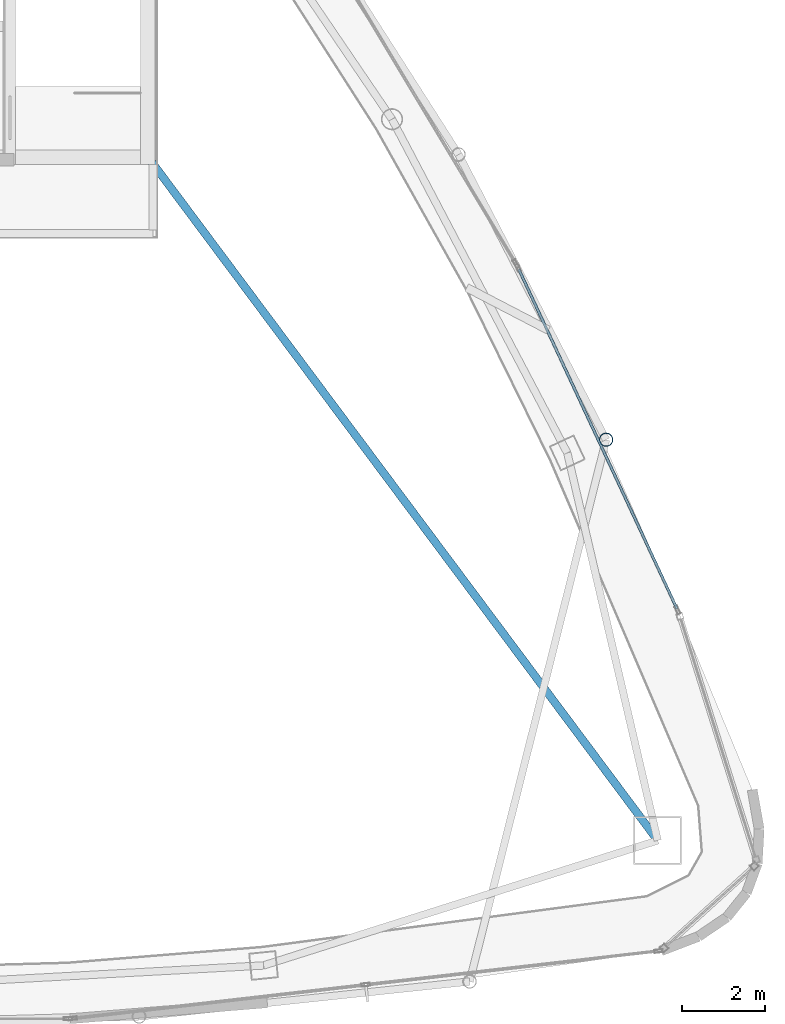
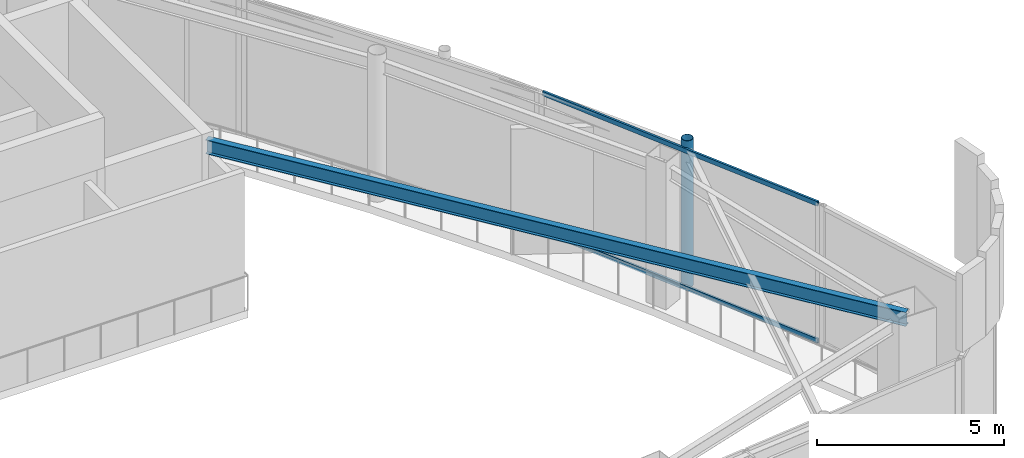
# One storey, part 12 of 18: 3 members, 1 beam, 1 element without a shape of its own.
"""IFC4 building model written with IfcOpenShell, lengths in metres."""

from ifc_helpers import new_model, si_unit, direction, frame, origin, origin_2d, place, context, subcontext, project, spatial, hollow_rectangle, hollow_circle, i_section, extrude, material, layer, layer_set, material_profile, profile_set, type_object, element, aggregate, save


model = new_model("IFC4")

# Units and contexts
model_context = context("Model", 3, precision=1e-05, world=origin(), true_north=direction((0.0, 1.0)))
body_context = subcontext(model_context, "Body", "Model", "MODEL_VIEW")
ifc_project = project(units=[si_unit("LENGTHUNIT", "METRE"), si_unit("AREAUNIT", "SQUARE_METRE"), si_unit("VOLUMEUNIT", "CUBIC_METRE"), si_unit("PLANEANGLEUNIT", "RADIAN"), si_unit("MASSUNIT", "GRAM", prefix="KILO")], contexts=[model_context])

# Site, building, storey
site_placement = place(None, origin())
site = spatial("IfcSite", under=ifc_project, at=site_placement, CompositionType="ELEMENT")
building_placement = place(site_placement, origin())
building = spatial("IfcBuilding", under=site, at=building_placement, Name="Orvanel Arch Residences", CompositionType="ELEMENT")
storey_placement = place(building_placement, frame((0.0, 0.0, 310.10009765625)))
storey = spatial("IfcBuildingStorey", under=building, at=storey_placement, Name="L86", CompositionType="ELEMENT", Elevation=310.10009765625)

# Beam
ifc_material_1 = material(Name="Structural steel AS/NZS 3679.1 Grade 300 (300 MPa)", Category="steel")
ifc_material_profile_1 = material_profile(ifc_material_1, i_section(OverallWidth=0.19091796875, OverallDepth=0.4599609375, WebThickness=0.010009765625, FlangeThickness=0.01611328125, at=origin_2d()), Name="460UB82.1")
ifc_profile_set_1 = profile_set([ifc_material_profile_1], Name="Structural steel AS/NZS 3679.1 Grade 300 (300 MPa)")
beam_type = type_object("IfcBeamType", Name="BG-460UB", PredefinedType="BEAM", material=ifc_profile_set_1)
beam_placement = place(storey_placement, frame((39.625, 26.675048828125, 4.309814453125), z_axis=(0.597893733742, -0.801575375839, 0.0), x_axis=(0.801575375839, 0.597893733742, 0.0)))
element("IfcBeam", 1, at=beam_placement, inside=storey, type_object=beam_type, Name="L86 South-East Radial Girder", PredefinedType="BEAM", context=body_context, shape_type="SweptSolid", body=[
    extrude(i_section(OverallWidth=0.19091796875, OverallDepth=0.4599609375, WebThickness=0.010009765625, FlangeThickness=0.01611328125, at=origin_2d()), origin(), (0.0, 0.0, 1.0), 20.36474609375),
])

# Member
ifc_material_2 = material(Name="Structural steel AS/NZS 1163 C350L0 (Grade 350)", Category="steel")
ifc_material_profile_2 = material_profile(ifc_material_2, hollow_circle(Radius=0.162109375, WallThickness=0.0126953125, at=origin_2d()), Name="CHS324x12.7")
ifc_profile_set_2 = profile_set([ifc_material_profile_2], Name="Structural steel AS/NZS 1163 C350L0 (Grade 350)")
member_type_1 = type_object("IfcMemberType", Name="ST-324CHS-EXT", PredefinedType="STRUT", material=ifc_profile_set_2)
member_1_placement = place(storey_placement, frame((50.56396484375, 19.9580078125, 0.0), z_axis=(0.0, 0.0, 1.0), x_axis=(1.0, 0.0, 0.0)))
element("IfcMember", 2, at=member_1_placement, inside=storey, type_object=member_type_1, Name="L86 Outer Perimeter Frame Post 09", PredefinedType="STRUT", context=body_context, shape_type="SweptSolid", body=[
    extrude(hollow_circle(Radius=0.162109375, WallThickness=0.0126953125, at=origin_2d()), origin(), (0.0, 0.0, 1.0), 4.7998046875),
])

# Curtain wall, members
ifc_material_3 = material(Name="Bronze-anodised aluminium AA6063-T6", Category="aluminium")
ifc_layer = layer(ifc_material_3, 0.2099609375)
ifc_layer_set = layer_set([ifc_layer], Name="Bronze-anodised aluminium AA6063-T6")
curtain_wall_type = type_object("IfcCurtainWallType", Name="CW7-TOP-SYS", PredefinedType="NOTDEFINED", material=ifc_layer_set)
curtain_wall_placement = place(storey_placement, origin())
curtain_wall = element("IfcCurtainWall", 3, at=curtain_wall_placement, inside=storey, type_object=curtain_wall_type, Name="L86 CW7-TOP-SYS Unitised Curtain Wall", PredefinedType="NOTDEFINED")
ifc_material_profile_3 = material_profile(ifc_material_3, hollow_rectangle(XDim=0.06494140625, YDim=0.14990234375, WallThickness=0.00390625, at=origin_2d()), Name="ALU150x65x4")
ifc_profile_set_3 = profile_set([ifc_material_profile_3], Name="Bronze-anodised aluminium AA6063-T6")
member_type_2 = type_object("IfcMemberType", Name="TRN-150x65", PredefinedType="USERDEFINED", material=ifc_profile_set_3)
member_2_placement = place(storey_placement, frame((52.26220703125, 15.906005859375, 0.032470703125), z_axis=(-0.422353742723, 0.906431087291, 0.0), x_axis=(-0.906431087291, -0.422353742723, 0.0)))
member_2 = element("IfcMember", 4, at=member_2_placement, type_object=member_type_2, Name="CW-S7 transom 1.1", ObjectType="TRANSOM", PredefinedType="USERDEFINED", context=body_context, shape_type="SweptSolid", body=[
    extrude(hollow_rectangle(XDim=0.06494140625, YDim=0.14990234375, WallThickness=0.00390625, at=origin_2d()), origin(), (0.0, 0.0, 1.0), 8.974853515625),
])
member_3_placement = place(storey_placement, frame((52.26220703125, 15.906005859375, 4.50732421875), z_axis=(-0.422353742723, 0.906431087291, 0.0), x_axis=(-0.906431087291, -0.422353742723, 0.0)))
member_3 = element("IfcMember", 5, at=member_3_placement, type_object=member_type_2, Name="CW-S7 transom 1.2", ObjectType="TRANSOM", PredefinedType="USERDEFINED", context=body_context, shape_type="SweptSolid", body=[
    extrude(hollow_rectangle(XDim=0.06494140625, YDim=0.14990234375, WallThickness=0.00390625, at=origin_2d()), origin(), (0.0, 0.0, 1.0), 8.974853515625),
])
aggregate(curtain_wall, [member_2, member_3])

save(model, "model.ifc")
